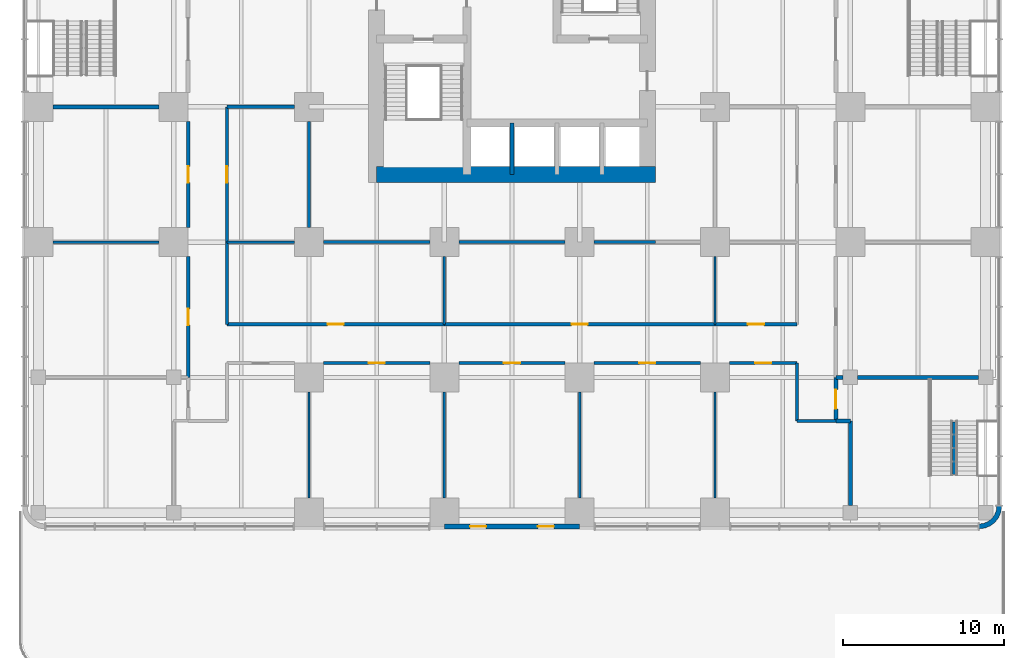
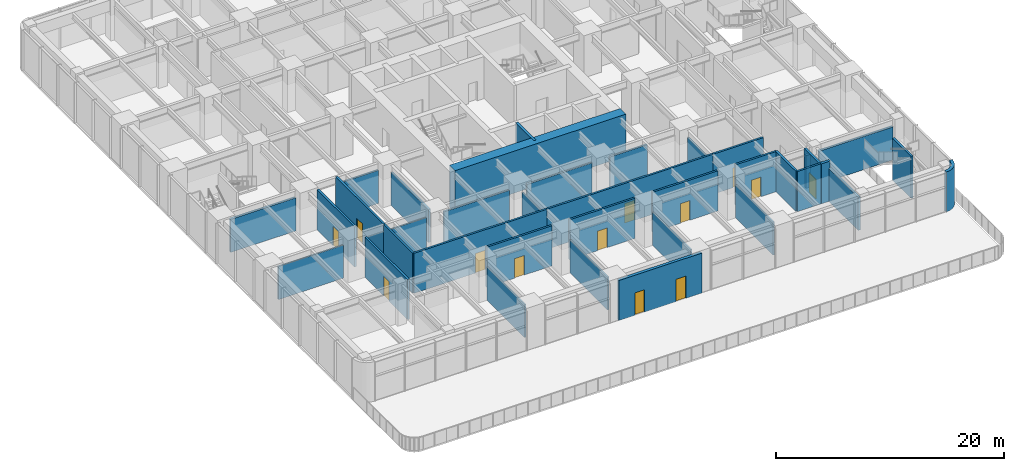
# One storey, part 10 of 19: 37 walls, 13 doors, 13 openings.
"""IFC4 building model written with IfcOpenShell, lengths in metres."""

from ifc_helpers import new_model, si_unit, direction, frame, frame_2d, origin, place, context, subcontext, project, spatial, polyline, rectangle, outline, extrude, material, layer, layer_set, type_object, element, fill, save


model = new_model("IFC4")

# Units and contexts
model_context = context("Model", 3, precision=1e-05, world=origin(), true_north=direction((0.0, 1.0)))
body_context = subcontext(model_context, "Body", "Model", "MODEL_VIEW")
ifc_project = project(units=[si_unit("LENGTHUNIT", "METRE"), si_unit("AREAUNIT", "SQUARE_METRE"), si_unit("VOLUMEUNIT", "CUBIC_METRE"), si_unit("PLANEANGLEUNIT", "RADIAN"), si_unit("MASSUNIT", "GRAM", prefix="KILO")], contexts=[model_context])

# Site, building, storey
site_placement = place(None, origin())
site = spatial("IfcSite", under=ifc_project, at=site_placement, CompositionType="ELEMENT")
building_placement = place(site_placement, origin())
building = spatial("IfcBuilding", under=site, at=building_placement, Name="Torre Alcanfor", CompositionType="ELEMENT")
storey_placement = place(building_placement, frame((0.0, 0.0, 15.0)))
storey = spatial("IfcBuildingStorey", under=building, at=storey_placement, Name="L03", CompositionType="ELEMENT", Elevation=15.0)

# Walls
ifc_material_1 = material(Name="Concrete block masonry, hollow blocks NMX-C-404 9 MPa", Category="masonry")
ifc_layer_1 = layer(ifc_material_1, 0.14990234375)
ifc_layer_set_1 = layer_set([ifc_layer_1], Name="Classroom partition 150")
wall_type_1 = type_object("IfcWallType", Name="Classroom partition 150", PredefinedType="PARTITIONING", material=ifc_layer_set_1)
for number, where, z_axis, x_axis, name in (
    (1, (16.800048828125, 7.5, 0.0), (0.0, 0.0, 1.0), (0.0, -1.0, 0.0), "Partition L03-01 / L03-05"),
    (2, (42.0, 0.89990234375, 0.0), (0.0, 0.0, 1.0), (0.0, 1.0, 0.0), "Partition L03-02 / L03-07"),
    (3, (25.199951171875, 7.5, 0.0), (0.0, 0.0, 1.0), (0.0, -1.0, 0.0), "Partition L03-05 / L03-06"),
    (4, (33.60009765625, 7.5, 0.0), (0.0, 0.0, 1.0), (0.0, -1.0, 0.0), "Partition L03-06 / L03-07"),
    (5, (0.89990234375, 16.800048828125, 0.0), (0.0, 0.0, 1.0), (1.0, 0.0, 0.0), "Partition L03-08 / L03-10"),
):
    element("IfcWall", number, at=place(storey_placement, frame(where, z_axis=z_axis, x_axis=x_axis)), inside=storey, type_object=wall_type_1, Name=name, PredefinedType="PARTITIONING", context=body_context, shape_type="SweptSolid", body=[
        extrude(rectangle(XDim=6.60009765625, YDim=0.14990234375, at=frame_2d((3.300048828125, 0.0))), origin(), (0.0, 0.0, 1.0), 3.543212890625),
    ])
for number, where, z_axis, x_axis, name in (
    (6, (25.199951171875, 15.89990234375, 0.0), (0.0, 0.0, 1.0), (0.0, -1.0, 0.0), "Partition L03-I01 / L03-I02"),
    (7, (11.699951171875, 16.800048828125, 0.0), (0.0, 0.0, 1.0), (1.0, 0.0, 0.0), "Partition L03-I01 / L03-I04"),
    (8, (42.0, 15.89990234375, 0.0), (0.0, 0.0, 1.0), (0.0, -1.0, 0.0), "Partition L03-I02 / L03-I03"),
):
    element("IfcWall", number, at=place(storey_placement, frame(where, z_axis=z_axis, x_axis=x_axis)), inside=storey, type_object=wall_type_1, Name=name, PredefinedType="PARTITIONING", context=body_context, shape_type="SweptSolid", body=[
        extrude(rectangle(XDim=4.199951171875, YDim=0.14990234375, at=frame_2d((2.10009765625, 0.0))), origin(), (0.0, 0.0, 1.0), 3.543212890625),
    ])
ifc_material_2 = material(Name="Concrete f'c 70 MPa", Category="concrete")
ifc_layer_2 = layer(ifc_material_2, 0.25)
ifc_layer_set_2 = layer_set([ifc_layer_2], Name="Core shaft wall 250 f'c70")
wall_type_2 = type_object("IfcWallType", Name="Core shaft wall 250 f'c70", PredefinedType="SHEAR", material=ifc_layer_set_2)
wall_1_placement = place(storey_placement, frame((29.39990234375, 21.0, 0.0), z_axis=(0.0, 0.0, 1.0), x_axis=(0.0, 1.0, 0.0)))
element("IfcWall", 9, at=wall_1_placement, inside=storey, type_object=wall_type_2, Name="Core wall X294S L03", PredefinedType="SHEAR", context=body_context, shape_type="SweptSolid", body=[
    extrude(rectangle(XDim=3.199951171875, YDim=0.25, at=frame_2d((1.60009765625, 0.0))), origin(), (0.0, 0.0, 1.0), 4.5),
])
ifc_material_3 = material(Name="Concrete f'c 70 MPa", Category="concrete")
ifc_layer_3 = layer(ifc_material_3, 1.0)
ifc_layer_set_3 = layer_set([ifc_layer_3], Name="Core wall 1000 f'c70")
wall_type_3 = type_object("IfcWallType", Name="Core wall 1000 f'c70", PredefinedType="SHEAR", material=ifc_layer_set_3)
wall_2_placement = place(storey_placement, frame((21.0, 21.0, 0.0), z_axis=(0.0, 0.0, 1.0), x_axis=(1.0, 0.0, 0.0)))
element("IfcWall", 10, at=wall_2_placement, inside=storey, type_object=wall_type_3, Name="Core wall OUT-S L03", PredefinedType="SHEAR", context=body_context, shape_type="SweptSolid", body=[
    extrude(rectangle(XDim=17.300048828125, YDim=1.0, at=frame_2d((8.64990234375, 0.0))), origin(), (0.0, 0.0, 1.0), 4.5),
])

# Wall, openings, doors
ifc_material_4 = material(Name="Limestone cladding", Category="masonry")
ifc_layer_4 = layer(ifc_material_4, 0.0400390625, Name="Facing")
ifc_material_5 = material(Name="Ventilated air cavity")
ifc_layer_5 = layer(ifc_material_5, 0.02001953125, ventilated=True, Name="Ventilated joint")
ifc_material_6 = material(Name="Mineral wool insulation", Category="insulation")
ifc_layer_6 = layer(ifc_material_6, 0.10009765625, Name="Insulation")
ifc_material_7 = material(Name="Concrete f'c 35 MPa", Category="concrete")
ifc_layer_7 = layer(ifc_material_7, 0.139892578125, Name="Backing")
ifc_layer_set_4 = layer_set([ifc_layer_4, ifc_layer_5, ifc_layer_6, ifc_layer_7], Name="External wall stone-clad 300")
wall_type_4 = type_object("IfcWallType", Name="External wall stone-clad 300", PredefinedType="SOLIDWALL", material=ifc_layer_set_4)
wall_3_placement = place(storey_placement, frame((25.199951171875, -0.85009765625, 0.0), z_axis=(0.0, 0.0, 1.0), x_axis=(1.0, 0.0, 0.0)))
wall_3 = element("IfcWall", 11, at=wall_3_placement, inside=storey, type_object=wall_type_4, Name="External wall L03 4", PredefinedType="SOLIDWALL", context=body_context, shape_type="SweptSolid", body=[
    extrude(rectangle(XDim=8.400146484375, YDim=0.300048828125, at=frame_2d((4.2001953125, 0.0))), origin(), (0.0, 0.0, 1.0), 4.300048828125),
])
opening_1_placement = place(wall_3_placement, frame((1.60009765625, 0.0, 0.0)))
opening_1 = element("IfcOpeningElement", 12, at=opening_1_placement, cuts=wall_3, Name="Opening D-T1", PredefinedType="OPENING", context=body_context, shape_type="SweptSolid", body=[
    extrude(rectangle(XDim=1.0, YDim=2.39990234375, at=frame_2d((0.5, 1.199951171875))), frame((0.0, 0.159912109375, 0.0), z_axis=(0.0, -1.0, 0.0), x_axis=(1.0, 0.0, 0.0)), (0.0, 0.0, 1.0), 0.320068359375),
])
opening_2_placement = place(wall_3_placement, frame((5.800048828125, 0.0, 0.0)))
opening_2 = element("IfcOpeningElement", 13, at=opening_2_placement, cuts=wall_3, Name="Opening D-T1", PredefinedType="OPENING", context=body_context, shape_type="SweptSolid", body=[
    extrude(rectangle(XDim=1.0, YDim=2.39990234375, at=frame_2d((0.5, 1.199951171875))), frame((0.0, 0.159912109375, 0.0), z_axis=(0.0, -1.0, 0.0), x_axis=(1.0, 0.0, 0.0)), (0.0, 0.0, 1.0), 0.320068359375),
])
ifc_material_8 = material(Name="Aluminium and glass", Category="aluminium")
door_type_1 = type_object("IfcDoorType", Name="Play deck door glazed 1000x2400", OperationType="SINGLE_SWING_RIGHT", PredefinedType="DOOR", material=ifc_material_8)
door_1_placement = place(opening_1_placement, origin())
door_1 = element("IfcDoor", 14, at=door_1_placement, inside=storey, type_object=door_type_1, Name="Play deck door L03 4.1", OperationType="SINGLE_SWING_LEFT", OverallHeight=2.39990234375, OverallWidth=1.0, PredefinedType="DOOR", context=body_context, shape_type="SweptSolid", body=[
    extrude(rectangle(XDim=1.0, YDim=2.39990234375, at=frame_2d((0.5, 1.199951171875))), frame((0.0, 0.02490234375, 0.0), z_axis=(0.0, -1.0, 0.0), x_axis=(1.0, 0.0, 0.0)), (0.0, 0.0, 1.0), 0.050048828125),
])
fill(opening_1, door_1)
door_2_placement = place(opening_2_placement, origin())
door_2 = element("IfcDoor", 15, at=door_2_placement, inside=storey, type_object=door_type_1, Name="Play deck door L03 4.2", OperationType="SINGLE_SWING_RIGHT", OverallHeight=2.39990234375, OverallWidth=1.0, PredefinedType="DOOR", context=body_context, shape_type="SweptSolid", body=[
    extrude(rectangle(XDim=1.0, YDim=2.39990234375, at=frame_2d((0.5, 1.199951171875))), frame((0.0, 0.02490234375, 0.0), z_axis=(0.0, -1.0, 0.0), x_axis=(1.0, 0.0, 0.0)), (0.0, 0.0, 1.0), 0.050048828125),
])
fill(opening_2, door_2)

# Wall
ifc_layer_8 = layer(ifc_material_4, 0.0400390625, Name="Facing")
ifc_layer_9 = layer(ifc_material_5, 0.02001953125, ventilated=True, Name="Ventilated joint")
ifc_layer_10 = layer(ifc_material_6, 0.10009765625, Name="Insulation")
ifc_layer_11 = layer(ifc_material_7, 0.139892578125, Name="Backing")
ifc_layer_set_5 = layer_set([ifc_layer_8, ifc_layer_9, ifc_layer_10, ifc_layer_11], Name="Rounded corner pier stone-clad 300")
wall_type_5 = type_object("IfcWallType", Name="Rounded corner pier stone-clad 300", PredefinedType="SOLIDWALL", material=ifc_layer_set_5)
wall_4_placement = place(storey_placement, frame((58.355188981, -0.847901787, 0.0), z_axis=(0.0, 0.0, 1.0), x_axis=(0.707106781187, -0.707106781187, 0.0)))
element("IfcWall", 16, at=wall_4_placement, inside=storey, type_object=wall_type_5, Name="Corner pier L03 8", PredefinedType="SOLIDWALL", context=body_context, shape_type="SweptSolid", body=[
    extrude(outline(polyline([(0.13933943332033705, 1.904000958212158), (-0.10079375335702812, 1.7198010227809943), (-0.08681044054547771, 1.705817709969444), (0.09963373027519407, 1.4627497539365684), (0.20925599737808903, 1.1981026114661149), (0.24654483154222334, 0.9139478844560909), (0.20925599737808903, 0.6301384244290684), (0.09963373027519407, 0.365491281958615), (-0.08681044054547765, 0.12242332592573929), (-0.10079375335702803, 0.10844001311418891), (0.1391667998288365, -0.07593255580847535), (0.3616913703731382, 0.21391907642106894), (0.5016971319801427, 0.5517628192877861), (0.5491713421428137, 0.9141205179475915), (0.501524498488642, 1.2763055831158965), (0.36169137037313825, 1.613976692491113), (0.13933943332033705, 1.904000958212158)])), origin(), (0.0, 0.0, 1.0), 4.300048828125),
])

# Wall, opening, door
ifc_material_9 = material(Name="Concrete block masonry, hollow blocks NMX-C-404 9 MPa", Category="masonry")
ifc_layer_12 = layer(ifc_material_9, 0.199951171875)
ifc_layer_set_6 = layer_set([ifc_layer_12], Name="School corridor wall 200")
wall_type_6 = type_object("IfcWallType", Name="School corridor wall 200", PredefinedType="PARTITIONING", material=ifc_layer_set_6)
wall_5_placement = place(storey_placement, frame((42.89990234375, 9.300048828125, 0.0), z_axis=(0.0, 0.0, 1.0), x_axis=(1.0, 0.0, 0.0)))
wall_5 = element("IfcWall", 17, at=wall_5_placement, inside=storey, type_object=wall_type_6, Name="Partition L03-02 / L03-CORR", PredefinedType="PARTITIONING", context=body_context, shape_type="SweptSolid", body=[
    extrude(rectangle(XDim=4.2001953125, YDim=0.199951171875, at=frame_2d((2.10009765625, 0.0))), origin(), (0.0, 0.0, 1.0), 4.300048828125),
])
opening_3_placement = place(wall_5_placement, frame((1.60009765625, 0.0, 0.0)))
opening_3 = element("IfcOpeningElement", 18, at=opening_3_placement, cuts=wall_5, Name="Opening D-C1", PredefinedType="OPENING", context=body_context, shape_type="SweptSolid", body=[
    extrude(rectangle(XDim=1.0, YDim=2.10009765625, at=frame_2d((0.5, 1.050048828125))), frame((0.0, 0.10986328125, 0.0), z_axis=(0.0, -1.0, 0.0), x_axis=(1.0, 0.0, 0.0)), (0.0, 0.0, 1.0), 0.219970703125),
])
ifc_material_10 = material(Name="Timber", Category="wood")
door_type_2 = type_object("IfcDoorType", Name="Classroom door 1000x2100", OperationType="SINGLE_SWING_RIGHT", PredefinedType="DOOR", material=ifc_material_10)
door_3_placement = place(opening_3_placement, frame((1.0, 0.0, 0.0), z_axis=(0.0, 0.0, 1.0), x_axis=(-1.0, 0.0, 0.0)))
door_3 = element("IfcDoor", 19, at=door_3_placement, inside=storey, type_object=door_type_2, Name="Door L03-02 classroom", OperationType="SINGLE_SWING_RIGHT", OverallHeight=2.10009765625, OverallWidth=1.0, PredefinedType="DOOR", context=body_context, shape_type="SweptSolid", body=[
    extrude(rectangle(XDim=1.0, YDim=2.10009765625, at=frame_2d((0.5, 1.050048828125))), frame((0.0, 0.025146484375, 0.0), z_axis=(0.0, -1.0, 0.0), x_axis=(1.0, 0.0, 0.0)), (0.0, 0.0, 1.0), 0.050048828125),
])
fill(opening_3, door_3)

# Walls
wall_6_placement = place(storey_placement, frame((47.10009765625, 9.300048828125, 0.0), z_axis=(0.0, 0.0, 1.0), x_axis=(0.0, -1.0, 0.0)))
element("IfcWall", 20, at=wall_6_placement, inside=storey, type_object=wall_type_6, Name="Partition L03-02 / L03-CORR", PredefinedType="PARTITIONING", context=body_context, shape_type="SweptSolid", body=[
    extrude(rectangle(XDim=3.60009765625, YDim=0.199951171875, at=frame_2d((1.800048828125, 0.0))), origin(), (0.0, 0.0, 1.0), 4.300048828125),
])
wall_7_placement = place(storey_placement, frame((47.10009765625, 5.699951171875, 0.0), z_axis=(0.0, 0.0, 1.0), x_axis=(1.0, 0.0, 0.0)))
element("IfcWall", 21, at=wall_7_placement, inside=storey, type_object=wall_type_6, Name="Partition L03-02 / L03-CORR", PredefinedType="PARTITIONING", context=body_context, shape_type="SweptSolid", body=[
    extrude(rectangle(XDim=2.39990234375, YDim=0.199951171875, at=frame_2d((1.199951171875, 0.0))), origin(), (0.0, 0.0, 1.0), 4.300048828125),
])

# Wall, opening, door
wall_8_placement = place(storey_placement, frame((17.699951171875, 9.300048828125, 0.0), z_axis=(0.0, 0.0, 1.0), x_axis=(1.0, 0.0, 0.0)))
wall_8 = element("IfcWall", 22, at=wall_8_placement, inside=storey, type_object=wall_type_6, Name="Partition L03-05 / L03-CORR", PredefinedType="PARTITIONING", context=body_context, shape_type="SweptSolid", body=[
    extrude(rectangle(XDim=6.60009765625, YDim=0.199951171875, at=frame_2d((3.300048828125, 0.0))), origin(), (0.0, 0.0, 1.0), 4.300048828125),
])
opening_4_placement = place(wall_8_placement, frame((2.800048828125, 0.0, 0.0)))
opening_4 = element("IfcOpeningElement", 23, at=opening_4_placement, cuts=wall_8, Name="Opening D-C1", PredefinedType="OPENING", context=body_context, shape_type="SweptSolid", body=[
    extrude(rectangle(XDim=1.0, YDim=2.10009765625, at=frame_2d((0.5, 1.050048828125))), frame((0.0, 0.10986328125, 0.0), z_axis=(0.0, -1.0, 0.0), x_axis=(1.0, 0.0, 0.0)), (0.0, 0.0, 1.0), 0.219970703125),
])
door_4_placement = place(opening_4_placement, frame((1.0, 0.0, 0.0), z_axis=(0.0, 0.0, 1.0), x_axis=(-1.0, 0.0, 0.0)))
door_4 = element("IfcDoor", 24, at=door_4_placement, inside=storey, type_object=door_type_2, Name="Door L03-05 classroom", OperationType="SINGLE_SWING_RIGHT", OverallHeight=2.10009765625, OverallWidth=1.0, PredefinedType="DOOR", context=body_context, shape_type="SweptSolid", body=[
    extrude(rectangle(XDim=1.0, YDim=2.10009765625, at=frame_2d((0.5, 1.050048828125))), frame((0.0, 0.025146484375, 0.0), z_axis=(0.0, -1.0, 0.0), x_axis=(1.0, 0.0, 0.0)), (0.0, 0.0, 1.0), 0.050048828125),
])
fill(opening_4, door_4)

wall_9_placement = place(storey_placement, frame((26.10009765625, 9.300048828125, 0.0), z_axis=(0.0, 0.0, 1.0), x_axis=(1.0, 0.0, 0.0)))
wall_9 = element("IfcWall", 25, at=wall_9_placement, inside=storey, type_object=wall_type_6, Name="Partition L03-06 / L03-CORR", PredefinedType="PARTITIONING", context=body_context, shape_type="SweptSolid", body=[
    extrude(rectangle(XDim=6.599853515625, YDim=0.199951171875, at=frame_2d((3.2998046875, 0.0))), origin(), (0.0, 0.0, 1.0), 4.300048828125),
])
opening_5_placement = place(wall_9_placement, frame((2.800048828125, 0.0, 0.0)))
opening_5 = element("IfcOpeningElement", 26, at=opening_5_placement, cuts=wall_9, Name="Opening D-C1", PredefinedType="OPENING", context=body_context, shape_type="SweptSolid", body=[
    extrude(rectangle(XDim=1.0, YDim=2.10009765625, at=frame_2d((0.5, 1.050048828125))), frame((0.0, 0.10986328125, 0.0), z_axis=(0.0, -1.0, 0.0), x_axis=(1.0, 0.0, 0.0)), (0.0, 0.0, 1.0), 0.219970703125),
])
door_5_placement = place(opening_5_placement, frame((1.0, 0.0, 0.0), z_axis=(0.0, 0.0, 1.0), x_axis=(-1.0, 0.0, 0.0)))
door_5 = element("IfcDoor", 27, at=door_5_placement, inside=storey, type_object=door_type_2, Name="Door L03-06 classroom", OperationType="SINGLE_SWING_RIGHT", OverallHeight=2.10009765625, OverallWidth=1.0, PredefinedType="DOOR", context=body_context, shape_type="SweptSolid", body=[
    extrude(rectangle(XDim=1.0, YDim=2.10009765625, at=frame_2d((0.5, 1.050048828125))), frame((0.0, 0.025146484375, 0.0), z_axis=(0.0, -1.0, 0.0), x_axis=(1.0, 0.0, 0.0)), (0.0, 0.0, 1.0), 0.050048828125),
])
fill(opening_5, door_5)

wall_10_placement = place(storey_placement, frame((34.5, 9.300048828125, 0.0), z_axis=(0.0, 0.0, 1.0), x_axis=(1.0, 0.0, 0.0)))
wall_10 = element("IfcWall", 28, at=wall_10_placement, inside=storey, type_object=wall_type_6, Name="Partition L03-07 / L03-CORR", PredefinedType="PARTITIONING", context=body_context, shape_type="SweptSolid", body=[
    extrude(rectangle(XDim=6.60009765625, YDim=0.199951171875, at=frame_2d((3.300048828125, 0.0))), origin(), (0.0, 0.0, 1.0), 4.300048828125),
])
opening_6_placement = place(wall_10_placement, frame((2.800048828125, 0.0, 0.0)))
opening_6 = element("IfcOpeningElement", 29, at=opening_6_placement, cuts=wall_10, Name="Opening D-C1", PredefinedType="OPENING", context=body_context, shape_type="SweptSolid", body=[
    extrude(rectangle(XDim=1.0, YDim=2.10009765625, at=frame_2d((0.5, 1.050048828125))), frame((0.0, 0.10986328125, 0.0), z_axis=(0.0, -1.0, 0.0), x_axis=(1.0, 0.0, 0.0)), (0.0, 0.0, 1.0), 0.219970703125),
])
door_6_placement = place(opening_6_placement, frame((1.0, 0.0, 0.0), z_axis=(0.0, 0.0, 1.0), x_axis=(-1.0, 0.0, 0.0)))
door_6 = element("IfcDoor", 30, at=door_6_placement, inside=storey, type_object=door_type_2, Name="Door L03-07 classroom", OperationType="SINGLE_SWING_RIGHT", OverallHeight=2.10009765625, OverallWidth=1.0, PredefinedType="DOOR", context=body_context, shape_type="SweptSolid", body=[
    extrude(rectangle(XDim=1.0, YDim=2.10009765625, at=frame_2d((0.5, 1.050048828125))), frame((0.0, 0.025146484375, 0.0), z_axis=(0.0, -1.0, 0.0), x_axis=(1.0, 0.0, 0.0)), (0.0, 0.0, 1.0), 0.050048828125),
])
fill(opening_6, door_6)

wall_11_placement = place(storey_placement, frame((9.300048828125, 15.89990234375, 0.0), z_axis=(0.0, 0.0, 1.0), x_axis=(0.0, -1.0, 0.0)))
wall_11 = element("IfcWall", 31, at=wall_11_placement, inside=storey, type_object=wall_type_6, Name="Partition L03-08 / L03-CORR", PredefinedType="PARTITIONING", context=body_context, shape_type="SweptSolid", body=[
    extrude(rectangle(XDim=7.5, YDim=0.199951171875, at=frame_2d((3.75, 0.0))), origin(), (0.0, 0.0, 1.0), 4.300048828125),
])
opening_7_placement = place(wall_11_placement, frame((3.25, 0.0, 0.0)))
opening_7 = element("IfcOpeningElement", 32, at=opening_7_placement, cuts=wall_11, Name="Opening D-C1", PredefinedType="OPENING", context=body_context, shape_type="SweptSolid", body=[
    extrude(rectangle(XDim=1.0, YDim=2.10009765625, at=frame_2d((0.5, 1.050048828125))), frame((0.0, 0.10986328125, 0.0), z_axis=(0.0, -1.0, 0.0), x_axis=(1.0, 0.0, 0.0)), (0.0, 0.0, 1.0), 0.219970703125),
])
door_7_placement = place(opening_7_placement, frame((1.0, 0.0, 0.0), z_axis=(0.0, 0.0, 1.0), x_axis=(-1.0, 0.0, 0.0)))
door_7 = element("IfcDoor", 33, at=door_7_placement, inside=storey, type_object=door_type_2, Name="Door L03-08 classroom", OperationType="SINGLE_SWING_RIGHT", OverallHeight=2.10009765625, OverallWidth=1.0, PredefinedType="DOOR", context=body_context, shape_type="SweptSolid", body=[
    extrude(rectangle(XDim=1.0, YDim=2.10009765625, at=frame_2d((0.5, 1.050048828125))), frame((0.0, 0.025146484375, 0.0), z_axis=(0.0, -1.0, 0.0), x_axis=(1.0, 0.0, 0.0)), (0.0, 0.0, 1.0), 0.050048828125),
])
fill(opening_7, door_7)

wall_12_placement = place(storey_placement, frame((9.300048828125, 24.300048828125, 0.0), z_axis=(0.0, 0.0, 1.0), x_axis=(0.0, -1.0, 0.0)))
wall_12 = element("IfcWall", 34, at=wall_12_placement, inside=storey, type_object=wall_type_6, Name="Partition L03-10 / L03-CORR", PredefinedType="PARTITIONING", context=body_context, shape_type="SweptSolid", body=[
    extrude(rectangle(XDim=6.60009765625, YDim=0.199951171875, at=frame_2d((3.300048828125, 0.0))), origin(), (0.0, 0.0, 1.0), 4.300048828125),
])
opening_8_placement = place(wall_12_placement, frame((2.800048828125, 0.0, 0.0)))
opening_8 = element("IfcOpeningElement", 35, at=opening_8_placement, cuts=wall_12, Name="Opening D-C1", PredefinedType="OPENING", context=body_context, shape_type="SweptSolid", body=[
    extrude(rectangle(XDim=1.0, YDim=2.10009765625, at=frame_2d((0.5, 1.050048828125))), frame((0.0, 0.10986328125, 0.0), z_axis=(0.0, -1.0, 0.0), x_axis=(1.0, 0.0, 0.0)), (0.0, 0.0, 1.0), 0.219970703125),
])
door_8_placement = place(opening_8_placement, frame((1.0, 0.0, 0.0), z_axis=(0.0, 0.0, 1.0), x_axis=(-1.0, 0.0, 0.0)))
door_8 = element("IfcDoor", 36, at=door_8_placement, inside=storey, type_object=door_type_2, Name="Door L03-10 classroom", OperationType="SINGLE_SWING_RIGHT", OverallHeight=2.10009765625, OverallWidth=1.0, PredefinedType="DOOR", context=body_context, shape_type="SweptSolid", body=[
    extrude(rectangle(XDim=1.0, YDim=2.10009765625, at=frame_2d((0.5, 1.050048828125))), frame((0.0, 0.025146484375, 0.0), z_axis=(0.0, -1.0, 0.0), x_axis=(1.0, 0.0, 0.0)), (0.0, 0.0, 1.0), 0.050048828125),
])
fill(opening_8, door_8)

# Wall
wall_13_placement = place(storey_placement, frame((11.699951171875, 16.800048828125, 0.0), z_axis=(0.0, 0.0, 1.0), x_axis=(0.0, -1.0, 0.0)))
element("IfcWall", 37, at=wall_13_placement, inside=storey, type_object=wall_type_6, Name="Partition L03-CORR / L03-I01", PredefinedType="PARTITIONING", context=body_context, shape_type="SweptSolid", body=[
    extrude(rectangle(XDim=5.10009765625, YDim=0.199951171875, at=frame_2d((2.550048828125, 0.0))), origin(), (0.0, 0.0, 1.0), 4.300048828125),
])

# Wall, opening, door
wall_14_placement = place(storey_placement, frame((11.699951171875, 11.699951171875, 0.0), z_axis=(0.0, 0.0, 1.0), x_axis=(1.0, 0.0, 0.0)))
wall_14 = element("IfcWall", 38, at=wall_14_placement, inside=storey, type_object=wall_type_6, Name="Partition L03-CORR / L03-I01", PredefinedType="PARTITIONING", context=body_context, shape_type="SweptSolid", body=[
    extrude(rectangle(XDim=13.5, YDim=0.199951171875, at=frame_2d((6.75, 0.0))), origin(), (0.0, 0.0, 1.0), 4.300048828125),
])
opening_9_placement = place(wall_14_placement, frame((6.25, 0.0, 0.0)))
opening_9 = element("IfcOpeningElement", 39, at=opening_9_placement, cuts=wall_14, Name="Opening D-C1", PredefinedType="OPENING", context=body_context, shape_type="SweptSolid", body=[
    extrude(rectangle(XDim=1.0, YDim=2.10009765625, at=frame_2d((0.5, 1.050048828125))), frame((0.0, 0.10986328125, 0.0), z_axis=(0.0, -1.0, 0.0), x_axis=(1.0, 0.0, 0.0)), (0.0, 0.0, 1.0), 0.219970703125),
])
door_9_placement = place(opening_9_placement, origin())
door_9 = element("IfcDoor", 40, at=door_9_placement, inside=storey, type_object=door_type_2, Name="Door L03-I01 language room", OperationType="SINGLE_SWING_LEFT", OverallHeight=2.10009765625, OverallWidth=1.0, PredefinedType="DOOR", context=body_context, shape_type="SweptSolid", body=[
    extrude(rectangle(XDim=1.0, YDim=2.10009765625, at=frame_2d((0.5, 1.050048828125))), frame((0.0, 0.02490234375, 0.0), z_axis=(0.0, -1.0, 0.0), x_axis=(1.0, 0.0, 0.0)), (0.0, 0.0, 1.0), 0.050048828125),
])
fill(opening_9, door_9)

wall_15_placement = place(storey_placement, frame((25.199951171875, 11.699951171875, 0.0), z_axis=(0.0, 0.0, 1.0), x_axis=(1.0, 0.0, 0.0)))
wall_15 = element("IfcWall", 41, at=wall_15_placement, inside=storey, type_object=wall_type_6, Name="Partition L03-CORR / L03-I02", PredefinedType="PARTITIONING", context=body_context, shape_type="SweptSolid", body=[
    extrude(rectangle(XDim=16.800048828125, YDim=0.199951171875, at=frame_2d((8.39990234375, 0.0))), origin(), (0.0, 0.0, 1.0), 4.300048828125),
])
opening_10_placement = place(wall_15_placement, frame((7.89990234375, 0.0, 0.0)))
opening_10 = element("IfcOpeningElement", 42, at=opening_10_placement, cuts=wall_15, Name="Opening D-C1", PredefinedType="OPENING", context=body_context, shape_type="SweptSolid", body=[
    extrude(rectangle(XDim=1.0, YDim=2.10009765625, at=frame_2d((0.5, 1.050048828125))), frame((0.0, 0.10986328125, 0.0), z_axis=(0.0, -1.0, 0.0), x_axis=(1.0, 0.0, 0.0)), (0.0, 0.0, 1.0), 0.219970703125),
])
door_10_placement = place(opening_10_placement, origin())
door_10 = element("IfcDoor", 43, at=door_10_placement, inside=storey, type_object=door_type_2, Name="Door L03-I02 science laboratory", OperationType="SINGLE_SWING_LEFT", OverallHeight=2.10009765625, OverallWidth=1.0, PredefinedType="DOOR", context=body_context, shape_type="SweptSolid", body=[
    extrude(rectangle(XDim=1.0, YDim=2.10009765625, at=frame_2d((0.5, 1.050048828125))), frame((0.0, 0.02490234375, 0.0), z_axis=(0.0, -1.0, 0.0), x_axis=(1.0, 0.0, 0.0)), (0.0, 0.0, 1.0), 0.050048828125),
])
fill(opening_10, door_10)

wall_16_placement = place(storey_placement, frame((42.0, 11.699951171875, 0.0), z_axis=(0.0, 0.0, 1.0), x_axis=(1.0, 0.0, 0.0)))
wall_16 = element("IfcWall", 44, at=wall_16_placement, inside=storey, type_object=wall_type_6, Name="Partition L03-CORR / L03-I03", PredefinedType="PARTITIONING", context=body_context, shape_type="SweptSolid", body=[
    extrude(rectangle(XDim=5.10009765625, YDim=0.199951171875, at=frame_2d((2.550048828125, 0.0))), origin(), (0.0, 0.0, 1.0), 4.300048828125),
])
opening_11_placement = place(wall_16_placement, frame((2.050048828125, 0.0, 0.0)))
opening_11 = element("IfcOpeningElement", 45, at=opening_11_placement, cuts=wall_16, Name="Opening D-C1", PredefinedType="OPENING", context=body_context, shape_type="SweptSolid", body=[
    extrude(rectangle(XDim=1.0, YDim=2.10009765625, at=frame_2d((0.5, 1.050048828125))), frame((0.0, 0.10986328125, 0.0), z_axis=(0.0, -1.0, 0.0), x_axis=(1.0, 0.0, 0.0)), (0.0, 0.0, 1.0), 0.219970703125),
])
door_11_placement = place(opening_11_placement, origin())
door_11 = element("IfcDoor", 46, at=door_11_placement, inside=storey, type_object=door_type_2, Name="Door L03-I03 store", OperationType="SINGLE_SWING_LEFT", OverallHeight=2.10009765625, OverallWidth=1.0, PredefinedType="DOOR", context=body_context, shape_type="SweptSolid", body=[
    extrude(rectangle(XDim=1.0, YDim=2.10009765625, at=frame_2d((0.5, 1.050048828125))), frame((0.0, 0.02490234375, 0.0), z_axis=(0.0, -1.0, 0.0), x_axis=(1.0, 0.0, 0.0)), (0.0, 0.0, 1.0), 0.050048828125),
])
fill(opening_11, door_11)

wall_17_placement = place(storey_placement, frame((11.699951171875, 25.199951171875, 0.0), z_axis=(0.0, 0.0, 1.0), x_axis=(0.0, -1.0, 0.0)))
wall_17 = element("IfcWall", 47, at=wall_17_placement, inside=storey, type_object=wall_type_6, Name="Partition L03-CORR / L03-I04", PredefinedType="PARTITIONING", context=body_context, shape_type="SweptSolid", body=[
    extrude(rectangle(XDim=8.39990234375, YDim=0.199951171875, at=frame_2d((4.199951171875, 0.0))), origin(), (0.0, 0.0, 1.0), 4.300048828125),
])
opening_12_placement = place(wall_17_placement, frame((3.699951171875, 0.0, 0.0)))
opening_12 = element("IfcOpeningElement", 48, at=opening_12_placement, cuts=wall_17, Name="Opening D-C1", PredefinedType="OPENING", context=body_context, shape_type="SweptSolid", body=[
    extrude(rectangle(XDim=1.0, YDim=2.10009765625, at=frame_2d((0.5, 1.050048828125))), frame((0.0, 0.10986328125, 0.0), z_axis=(0.0, -1.0, 0.0), x_axis=(1.0, 0.0, 0.0)), (0.0, 0.0, 1.0), 0.219970703125),
])
door_12_placement = place(opening_12_placement, origin())
door_12 = element("IfcDoor", 49, at=door_12_placement, inside=storey, type_object=door_type_2, Name="Door L03-I04 preparation room", OperationType="SINGLE_SWING_LEFT", OverallHeight=2.10009765625, OverallWidth=1.0, PredefinedType="DOOR", context=body_context, shape_type="SweptSolid", body=[
    extrude(rectangle(XDim=1.0, YDim=2.10009765625, at=frame_2d((0.5, 1.050048828125))), frame((0.0, 0.02490234375, 0.0), z_axis=(0.0, -1.0, 0.0), x_axis=(1.0, 0.0, 0.0)), (0.0, 0.0, 1.0), 0.050048828125),
])
fill(opening_12, door_12)

# Walls
wall_18_placement = place(storey_placement, frame((24.300048828125, 16.800048828125, 0.0), z_axis=(0.0, 0.0, 1.0), x_axis=(-1.0, 0.0, 0.0)))
element("IfcWall", 50, at=wall_18_placement, inside=storey, type_object=wall_type_6, Name="Partition L03-LLW / L03-I01", PredefinedType="PARTITIONING", context=body_context, shape_type="SweptSolid", body=[
    extrude(rectangle(XDim=6.60009765625, YDim=0.199951171875, at=frame_2d((3.300048828125, 0.0))), origin(), (0.0, 0.0, 1.0), 3.543212890625),
])
wall_19_placement = place(storey_placement, frame((32.699951171875, 16.800048828125, 0.0), z_axis=(0.0, 0.0, 1.0), x_axis=(-1.0, 0.0, 0.0)))
element("IfcWall", 51, at=wall_19_placement, inside=storey, type_object=wall_type_6, Name="Partition L03-LLW / L03-I02", PredefinedType="PARTITIONING", context=body_context, shape_type="SweptSolid", body=[
    extrude(rectangle(XDim=6.599853515625, YDim=0.199951171875, at=frame_2d((3.2998046875, 0.0))), origin(), (0.0, 0.0, 1.0), 3.543212890625),
])
wall_20_placement = place(storey_placement, frame((38.300048828125, 16.800048828125, 0.0), z_axis=(0.0, 0.0, 1.0), x_axis=(-1.0, 0.0, 0.0)))
element("IfcWall", 52, at=wall_20_placement, inside=storey, type_object=wall_type_6, Name="Partition L03-LLW / L03-I02", PredefinedType="PARTITIONING", context=body_context, shape_type="SweptSolid", body=[
    extrude(rectangle(XDim=3.800048828125, YDim=0.199951171875, at=frame_2d((1.89990234375, 0.0))), origin(), (0.0, 0.0, 1.0), 3.543212890625),
])
wall_21_placement = place(storey_placement, frame((15.89990234375, 25.199951171875, 0.0), z_axis=(0.0, 0.0, 1.0), x_axis=(-1.0, 0.0, 0.0)))
element("IfcWall", 53, at=wall_21_placement, inside=storey, type_object=wall_type_6, Name="Partition L03-LLW / L03-I04", PredefinedType="PARTITIONING", context=body_context, shape_type="SweptSolid", body=[
    extrude(rectangle(XDim=4.199951171875, YDim=0.199951171875, at=frame_2d((2.10009765625, 0.0))), origin(), (0.0, 0.0, 1.0), 3.543212890625),
])
wall_22_placement = place(storey_placement, frame((16.800048828125, 17.699951171875, 0.0), z_axis=(0.0, 0.0, 1.0), x_axis=(0.0, 1.0, 0.0)))
element("IfcWall", 54, at=wall_22_placement, inside=storey, type_object=wall_type_6, Name="Partition L03-LLW / L03-I04", PredefinedType="PARTITIONING", context=body_context, shape_type="SweptSolid", body=[
    extrude(rectangle(XDim=6.60009765625, YDim=0.199951171875, at=frame_2d((3.300048828125, 0.0))), origin(), (0.0, 0.0, 1.0), 3.543212890625),
])
ifc_material_11 = material(Name="Reinforced concrete block masonry, hollow blocks NMX-C-404 9 MPa", Category="masonry")
ifc_layer_13 = layer(ifc_material_11, 0.25)
ifc_layer_set_7 = layer_set([ifc_layer_13], Name="Stair enclosure wall 250 EI 120")
wall_type_7 = type_object("IfcWallType", Name="Stair enclosure wall 250 EI 120", PredefinedType="SOLIDWALL", material=ifc_layer_set_7)
wall_23_placement = place(storey_placement, frame((7.5, 25.199951171875, 0.0), z_axis=(0.0, 0.0, 1.0), x_axis=(-1.0, 0.0, 0.0)))
element("IfcWall", 55, at=wall_23_placement, inside=storey, type_object=wall_type_7, Name="Partition L03-SS1 / L03-10", PredefinedType="SOLIDWALL", context=body_context, shape_type="SweptSolid", body=[
    extrude(rectangle(XDim=6.60009765625, YDim=0.25, at=frame_2d((3.300048828125, 0.0))), origin(), (0.0, 0.0, 1.0), 3.543212890625),
])
wall_24_placement = place(storey_placement, frame((50.39990234375, 0.449951171875, 0.0), z_axis=(0.0, 0.0, 1.0), x_axis=(0.0, 1.0, 0.0)))
element("IfcWall", 56, at=wall_24_placement, inside=storey, type_object=wall_type_7, Name="Partition L03-SS3 / L03-02", PredefinedType="SOLIDWALL", context=body_context, shape_type="SweptSolid", body=[
    extrude(rectangle(XDim=5.25, YDim=0.25, at=frame_2d((2.625, 0.0))), origin(), (0.0, 0.0, 1.0), 3.543212890625),
])
wall_25_placement = place(storey_placement, frame((50.39990234375, 5.699951171875, 0.0), z_axis=(0.0, 0.0, 1.0), x_axis=(-1.0, 0.0, 0.0)))
element("IfcWall", 57, at=wall_25_placement, inside=storey, type_object=wall_type_7, Name="Partition L03-SS3 / L03-02", PredefinedType="SOLIDWALL", context=body_context, shape_type="SweptSolid", body=[
    extrude(rectangle(XDim=0.89990234375, YDim=0.25, at=frame_2d((0.449951171875, 0.0))), origin(), (0.0, 0.0, 1.0), 4.300048828125),
])
wall_26_placement = place(storey_placement, frame((49.5, 8.39990234375, 0.0), z_axis=(0.0, 0.0, 1.0), x_axis=(1.0, 0.0, 0.0)))
element("IfcWall", 58, at=wall_26_placement, inside=storey, type_object=wall_type_7, Name="Partition L03-SS3 / L03-09", PredefinedType="SOLIDWALL", context=body_context, shape_type="SweptSolid", body=[
    extrude(rectangle(XDim=0.449951171875, YDim=0.25, at=frame_2d((0.22509765625, 0.0))), origin(), (0.0, 0.0, 1.0), 3.543212890625),
])
wall_27_placement = place(storey_placement, frame((50.85009765625, 8.39990234375, 0.0), z_axis=(0.0, 0.0, 1.0), x_axis=(1.0, 0.0, 0.0)))
element("IfcWall", 59, at=wall_27_placement, inside=storey, type_object=wall_type_7, Name="Partition L03-SS3 / L03-09", PredefinedType="SOLIDWALL", context=body_context, shape_type="SweptSolid", body=[
    extrude(rectangle(XDim=7.5, YDim=0.25, at=frame_2d((3.75, 0.0))), origin(), (0.0, 0.0, 1.0), 3.543212890625),
])

# Wall, opening, door
wall_28_placement = place(storey_placement, frame((49.5, 5.699951171875, 0.0), z_axis=(0.0, 0.0, 1.0), x_axis=(0.0, 1.0, 0.0)))
wall_28 = element("IfcWall", 60, at=wall_28_placement, inside=storey, type_object=wall_type_7, Name="Partition L03-SS3 / L03-CORR", PredefinedType="SOLIDWALL", context=body_context, shape_type="SweptSolid", body=[
    extrude(rectangle(XDim=2.699951171875, YDim=0.25, at=frame_2d((1.35009765625, 0.0))), origin(), (0.0, 0.0, 1.0), 4.300048828125),
])
opening_13_placement = place(wall_28_placement, frame((0.75, 0.0, 0.0)))
opening_13 = element("IfcOpeningElement", 61, at=opening_13_placement, cuts=wall_28, Name="Opening D-L1", PredefinedType="OPENING", context=body_context, shape_type="SweptSolid", body=[
    extrude(rectangle(XDim=1.199951171875, YDim=2.10009765625, at=frame_2d((0.60009765625, 1.050048828125))), frame((0.0, 0.135009765625, 0.0), z_axis=(0.0, -1.0, 0.0), x_axis=(1.0, 0.0, 0.0)), (0.0, 0.0, 1.0), 0.27001953125),
])
ifc_material_12 = material(Name="Galvanised steel sheet ASTM A653", Category="steel")
door_type_3 = type_object("IfcDoorType", Name="Lobby door FD120 1200x2100", OperationType="SINGLE_SWING_LEFT", PredefinedType="DOOR", material=ifc_material_12)
door_13_placement = place(opening_13_placement, frame((1.199951171875, 0.0, 0.0), z_axis=(0.0, 0.0, 1.0), x_axis=(-1.0, 0.0, 0.0)))
door_13 = element("IfcDoor", 62, at=door_13_placement, inside=storey, type_object=door_type_3, Name="Door L03-SS3 school stair ss3", OperationType="SINGLE_SWING_LEFT", OverallHeight=2.10009765625, OverallWidth=1.199951171875, PredefinedType="DOOR", context=body_context, shape_type="SweptSolid", body=[
    extrude(rectangle(XDim=1.199951171875, YDim=2.10009765625, at=frame_2d((0.599853515625, 1.050048828125))), frame((0.0, 0.025146484375, 0.0), z_axis=(0.0, -1.0, 0.0), x_axis=(1.0, 0.0, 0.0)), (0.0, 0.0, 1.0), 0.050048828125),
])
fill(opening_13, door_13)

# Wall
ifc_material_13 = material(Name="Concrete f'c 35 MPa", Category="concrete")
ifc_layer_14 = layer(ifc_material_13, 0.199951171875)
ifc_layer_set_8 = layer_set([ifc_layer_14], Name="Stair spine wall 200")
wall_type_8 = type_object("IfcWallType", Name="Stair spine wall 200", PredefinedType="SOLIDWALL", material=ifc_layer_set_8)
wall_29_placement = place(storey_placement, frame((56.85009765625, 2.375, 0.0), z_axis=(0.0, 0.0, 1.0), x_axis=(0.0, 1.0, 0.0)))
element("IfcWall", 63, at=wall_29_placement, inside=storey, type_object=wall_type_8, Name="Stair spine wall SS3 L03", PredefinedType="SOLIDWALL", context=body_context, shape_type="SweptSolid", body=[
    extrude(rectangle(XDim=3.260009765625, YDim=0.199951171875, at=frame_2d((1.6298828125, 0.0))), origin(), (0.0, 0.0, 1.0), 4.5),
])

save(model, "model.ifc")
